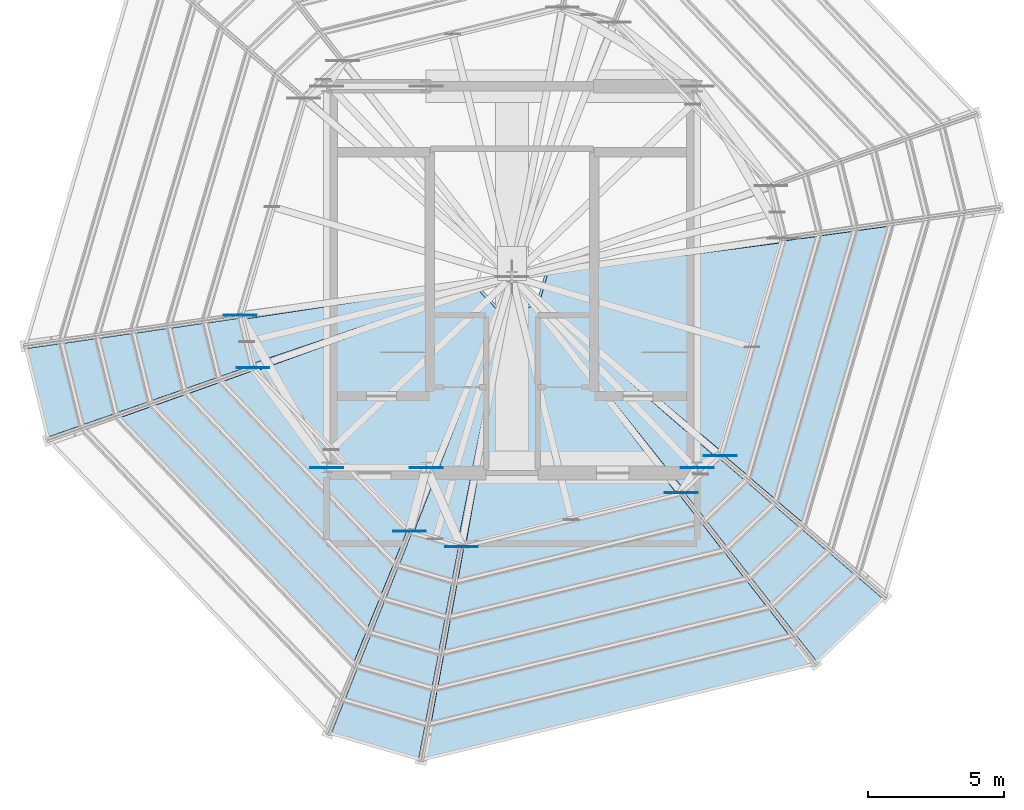
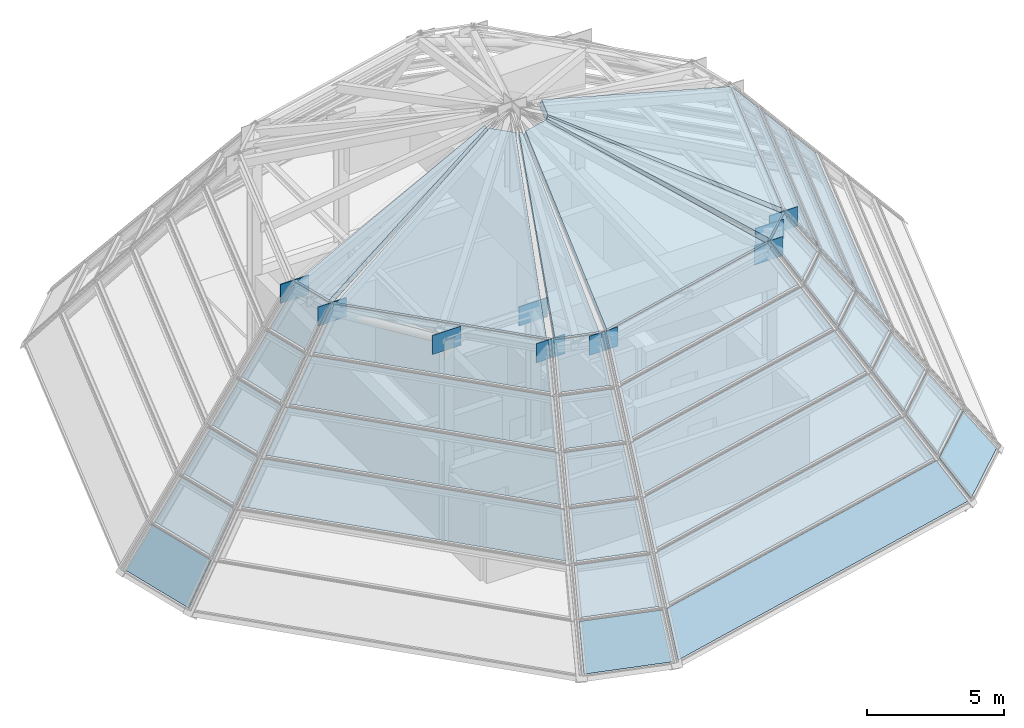
# One storey, part 10 of 13: 40 plates, 6 slabs, 31 elements without a shape of their own.
"""IFC4 building model written with IfcOpenShell, lengths in metres."""

from ifc_helpers import new_model, si_unit, direction, frame, origin, origin_2d, place, context, subcontext, project, spatial, polyline, rectangle, outline, extrude, source, transform, mapped, material, layer, layer_set, type_object, element, aggregate, save


model = new_model("IFC4")

# Units and contexts
model_context = context("Model", 3, precision=1e-05, world=origin(), true_north=direction((0.0, 1.0)))
body_context = subcontext(model_context, "Body", "Model", "MODEL_VIEW")
ifc_project = project(units=[si_unit("LENGTHUNIT", "METRE"), si_unit("AREAUNIT", "SQUARE_METRE"), si_unit("VOLUMEUNIT", "CUBIC_METRE"), si_unit("PLANEANGLEUNIT", "RADIAN"), si_unit("MASSUNIT", "GRAM", prefix="KILO")], contexts=[model_context])

# Site, building, storey
site_placement = place(None, origin())
site = spatial("IfcSite", under=ifc_project, at=site_placement, CompositionType="ELEMENT")
building_placement = place(site_placement, origin())
building = spatial("IfcBuilding", under=site, at=building_placement, Name="Veraguas Prism Commons", CompositionType="ELEMENT")
storey_placement = place(building_placement, frame((0.0, 0.0, 268.89990234375)))
storey = spatial("IfcBuildingStorey", under=building, at=storey_placement, Name="RF", CompositionType="ELEMENT", Elevation=268.89990234375)

# Curtain wall, plate
ifc_material_1 = material(Name="Anodised aluminium EN AW-6063 T6", Category="aluminium")
ifc_layer_1 = layer(ifc_material_1, 0.199951171875, Name="Faceted Glass Point Crown Curtain Wall", Category="aluminium")
ifc_layer_set_1 = layer_set([ifc_layer_1], Name="Anodised aluminium EN AW-6063 T6")
curtain_wall_type = type_object("IfcCurtainWallType", Name="Faceted Glass Point Crown Curtain Wall", PredefinedType="NOTDEFINED", material=ifc_layer_set_1)
curtain_wall_1_placement = place(storey_placement, origin())
curtain_wall_1 = element("IfcCurtainWall", 1, at=curtain_wall_1_placement, inside=storey, type_object=curtain_wall_type, Name="Crown Glass-Point Facet T1-F07", PredefinedType="NOTDEFINED")
ifc_material_2 = material(Name="Laminated low-e glass", Category="glass")
ifc_layer_2 = layer(ifc_material_2, 0.035888671875, Name="Faceted Crown Laminated Glazed Panel 36", Category="glass")
ifc_layer_set_2 = layer_set([ifc_layer_2], Name="Laminated low-e glass")
plate_type_1 = type_object("IfcPlateType", Name="Faceted Crown Laminated Glazed Panel 36", PredefinedType="CURTAIN_PANEL", material=ifc_layer_set_2)
plate_1_placement = place(storey_placement, frame((6.186279296875, 21.367431640625, 0.050048828125), z_axis=(-0.745213240657, -0.181945976097, 0.641523879315), x_axis=(0.237188415422, -0.971463666629, 3.184036e-06)))
plate_1 = element("IfcPlate", 2, at=plate_1_placement, type_object=plate_type_1, Name="CW-CRN Panel 1.1", PredefinedType="CURTAIN_PANEL", context=body_context, shape_type="SweptSolid", body=[
    extrude(outline(polyline([(0.0, 0.0), (3.3349609375, 0.0), (3.21826171875, 1.933837890625), (0.116943359375, 1.933837890625), (0.0, 0.0)])), origin(), (0.0, 0.0, -1.0), 0.035888671875),
])
aggregate(curtain_wall_1, [plate_1])

curtain_wall_2_placement = place(storey_placement, origin())
curtain_wall_2 = element("IfcCurtainWall", 3, at=curtain_wall_2_placement, inside=storey, type_object=curtain_wall_type, Name="Crown Glass-Point Facet T1-F09", PredefinedType="NOTDEFINED")
plate_2_placement = place(storey_placement, frame((17.373291015625, 7.256591796875, 0.050048828125), z_axis=(-0.215068177497, -0.736341527745, 0.641519160701), x_axis=(0.959897526382, -0.280351098869, 1.4426906e-05)))
plate_2 = element("IfcPlate", 4, at=plate_2_placement, type_object=plate_type_1, Name="CW-CRN Panel 1.1", PredefinedType="CURTAIN_PANEL", context=body_context, shape_type="SweptSolid", body=[
    extrude(outline(polyline([(0.0, 0.0), (3.334716796875, 0.0), (3.218017578125, 1.93359375), (0.11669921875, 1.933837890625), (0.0, 0.0)])), origin(), (0.0, 0.0, -1.0), 0.035888671875),
])
aggregate(curtain_wall_2, [plate_2])

curtain_wall_3_placement = place(storey_placement, origin())
curtain_wall_3 = element("IfcCurtainWall", 5, at=curtain_wall_3_placement, inside=storey, type_object=curtain_wall_type, Name="Crown Glass-Point Facet T1-F10", PredefinedType="NOTDEFINED")
plate_3_placement = place(storey_placement, frame((20.7861328125, 6.31689453125, 0.050048828125), z_axis=(0.188322034635, -0.771327804383, 0.607937685505), x_axis=(0.971463650577, 0.237188481163, 3.387106e-06)))
plate_3 = element("IfcPlate", 6, at=plate_3_placement, type_object=plate_type_1, Name="CW-CRN Panel 1.1", PredefinedType="CURTAIN_PANEL", context=body_context, shape_type="SweptSolid", body=[
    extrude(outline(polyline([(0.0, 0.0), (14.63232421875, 0.0), (14.124755859375, 1.8681640625), (0.507568359375, 1.868408203125), (0.0, 0.0)])), origin(), (0.0, 0.0, -1.0), 0.035888671875),
])
aggregate(curtain_wall_3, [plate_3])

curtain_wall_4_placement = place(storey_placement, origin())
curtain_wall_4 = element("IfcCurtainWall", 7, at=curtain_wall_4_placement, inside=storey, type_object=curtain_wall_type, Name="Crown Glass-Point Facet T1-F11", PredefinedType="NOTDEFINED")
plate_4_placement = place(storey_placement, frame((35.186767578125, 9.88916015625, 0.050048828125), z_axis=(0.530192471022, -0.554401907161, 0.641509523707), x_axis=(0.722708915875, 0.691152532303, 2.269819e-06)))
plate_4 = element("IfcPlate", 8, at=plate_4_placement, type_object=plate_type_1, Name="CW-CRN Panel 1.1", PredefinedType="CURTAIN_PANEL", context=body_context, shape_type="SweptSolid", body=[
    extrude(outline(polyline([(0.0, 0.0), (3.3349609375, 0.0), (3.21826171875, 1.933837890625), (0.116943359375, 1.933837890625), (0.0, 0.0)])), origin(), (0.0, 0.0, -1.0), 0.035888671875),
])
aggregate(curtain_wall_4, [plate_4])

curtain_wall_5_placement = place(storey_placement, origin())
curtain_wall_5 = element("IfcCurtainWall", 9, at=curtain_wall_5_placement, inside=storey, type_object=curtain_wall_type, Name="Crown Glass-Point Facet T2-F07", PredefinedType="NOTDEFINED")
plate_5_placement = place(storey_placement, frame((7.50390625, 21.5537109375, 1.63330078125), z_axis=(-0.745231406785, -0.181967743605, 0.641496602195), x_axis=(0.237213034213, -0.971457655458, 7.241851e-06)))
plate_5 = element("IfcPlate", 10, at=plate_5_placement, type_object=plate_type_1, Name="CW-CRN Panel 1.1", PredefinedType="CURTAIN_PANEL", context=body_context, shape_type="SweptSolid", body=[
    extrude(outline(polyline([(0.0, 0.0), (3.072021484375, 0.0), (2.9560546875, 1.93359375), (0.1162109375, 1.933837890625), (0.0, 0.0)])), origin(), (0.0, 0.0, -1.0), 0.035888671875),
])
aggregate(curtain_wall_5, [plate_5])

curtain_wall_6_placement = place(storey_placement, origin())
curtain_wall_6 = element("IfcCurtainWall", 11, at=curtain_wall_6_placement, inside=storey, type_object=curtain_wall_type, Name="Crown Glass-Point Facet T2-F09", PredefinedType="NOTDEFINED")
plate_6_placement = place(storey_placement, frame((17.87060546875, 8.490966796875, 1.63330078125), z_axis=(-0.215075827671, -0.736339293349, 0.641519160604), x_axis=(0.959889806374, -0.280377530454, -6.076306e-06)))
plate_6 = element("IfcPlate", 12, at=plate_6_placement, type_object=plate_type_1, Name="CW-CRN Panel 1.1", PredefinedType="CURTAIN_PANEL", context=body_context, shape_type="SweptSolid", body=[
    extrude(outline(polyline([(0.0, 0.0), (3.072021484375, 0.0), (2.955810546875, 1.933837890625), (0.115966796875, 1.933837890625), (0.0, 0.0)])), origin(), (0.0, 0.0, -1.0), 0.035888671875),
])
aggregate(curtain_wall_6, [plate_6])

curtain_wall_7_placement = place(storey_placement, origin())
curtain_wall_7 = element("IfcCurtainWall", 13, at=curtain_wall_7_placement, inside=storey, type_object=curtain_wall_type, Name="Crown Glass-Point Facet T2-F10", PredefinedType="NOTDEFINED")
plate_7_placement = place(storey_placement, frame((21.031494140625, 7.625, 1.63330078125), z_axis=(0.188314787671, -0.771329573758, 0.60793768545), x_axis=(0.971466584285, 0.237176465143, -4.96407e-07)))
plate_7 = element("IfcPlate", 14, at=plate_7_placement, type_object=plate_type_1, Name="CW-CRN Panel 1.1", PredefinedType="CURTAIN_PANEL", context=body_context, shape_type="SweptSolid", body=[
    extrude(outline(polyline([(0.0, 0.0), (13.53515625, 0.0), (13.028076171875, 1.868408203125), (0.507080078125, 1.868408203125), (0.0, 0.0)])), origin(), (0.0, 0.0, -1.0), 0.035888671875),
])
aggregate(curtain_wall_7, [plate_7])

curtain_wall_8_placement = place(storey_placement, origin())
curtain_wall_8 = element("IfcCurtainWall", 15, at=curtain_wall_8_placement, inside=storey, type_object=curtain_wall_type, Name="Crown Glass-Point Facet T2-F11", PredefinedType="NOTDEFINED")
plate_8_placement = place(storey_placement, frame((34.36669921875, 10.93701171875, 1.63330078125), z_axis=(0.530166145332, -0.554336602364, 0.64158771), x_axis=(0.72267889897, 0.691183918216, 1.3495665e-05)))
plate_8 = element("IfcPlate", 16, at=plate_8_placement, type_object=plate_type_1, Name="CW-CRN Panel 1.1", PredefinedType="CURTAIN_PANEL", context=body_context, shape_type="SweptSolid", body=[
    extrude(outline(polyline([(0.0, 0.0), (3.072021484375, 0.0), (2.955810546875, 1.933837890625), (0.1162109375, 1.933837890625), (0.0, 0.0)])), origin(), (0.0, 0.0, -1.0), 0.035888671875),
])
aggregate(curtain_wall_8, [plate_8])

curtain_wall_9_placement = place(storey_placement, origin())
curtain_wall_9 = element("IfcCurtainWall", 17, at=curtain_wall_9_placement, inside=storey, type_object=curtain_wall_type, Name="Crown Glass-Point Facet T3-F07", PredefinedType="NOTDEFINED")
plate_9_placement = place(storey_placement, frame((8.821533203125, 21.740234375, 3.216796875), z_axis=(-0.745168853388, -0.181938413893, 0.641577581818), x_axis=(0.237175192266, -0.97146689488, -1.8049152e-05)))
plate_9 = element("IfcPlate", 18, at=plate_9_placement, type_object=plate_type_1, Name="CW-CRN Panel 1.1", PredefinedType="CURTAIN_PANEL", context=body_context, shape_type="SweptSolid", body=[
    extrude(outline(polyline([(0.0, 0.0), (2.809326171875, 0.0), (2.693603515625, 1.933837890625), (0.11572265625, 1.933837890625), (0.0, 0.0)])), origin(), (0.0, 0.0, -1.0), 0.035888671875),
])
aggregate(curtain_wall_9, [plate_9])

curtain_wall_10_placement = place(storey_placement, origin())
curtain_wall_10 = element("IfcCurtainWall", 19, at=curtain_wall_10_placement, inside=storey, type_object=curtain_wall_type, Name="Crown Glass-Point Facet T3-F08", PredefinedType="NOTDEFINED")
plate_10_placement = place(storey_placement, frame((9.58984375, 18.82470703125, 3.216796875), z_axis=(-0.573802598739, -0.548727520211, 0.60798740632), x_axis=(0.691139122254, -0.722721740153, 1.91062e-07)))
plate_10 = element("IfcPlate", 20, at=plate_10_placement, type_object=plate_type_1, Name="CW-CRN Panel 1.1", PredefinedType="CURTAIN_PANEL", context=body_context, shape_type="SweptSolid", body=[
    extrude(outline(polyline([(0.0, 0.0), (12.43798828125, 0.0), (11.931640625, 1.868408203125), (0.506591796875, 1.868408203125), (0.0, 0.0)])), origin(), (0.0, 0.0, -1.0), 0.035888671875),
])
aggregate(curtain_wall_10, [plate_10])

curtain_wall_11_placement = place(storey_placement, origin())
curtain_wall_11 = element("IfcCurtainWall", 21, at=curtain_wall_11_placement, inside=storey, type_object=curtain_wall_type, Name="Crown Glass-Point Facet T3-F09", PredefinedType="NOTDEFINED")
plate_11_placement = place(storey_placement, frame((18.367919921875, 9.72509765625, 3.216796875), z_axis=(-0.215020902791, -0.736355334199, 0.641519160399), x_axis=(0.959914231722, -0.28029389515, 8.916132e-06)))
plate_11 = element("IfcPlate", 22, at=plate_11_placement, type_object=plate_type_1, Name="CW-CRN Panel 1.1", PredefinedType="CURTAIN_PANEL", context=body_context, shape_type="SweptSolid", body=[
    extrude(outline(polyline([(0.0, 0.0), (2.80908203125, 0.0), (2.693603515625, 1.933837890625), (0.11572265625, 1.933837890625), (0.0, 0.0)])), origin(), (0.0, 0.0, -1.0), 0.035888671875),
])
aggregate(curtain_wall_11, [plate_11])

curtain_wall_12_placement = place(storey_placement, origin())
curtain_wall_12 = element("IfcCurtainWall", 23, at=curtain_wall_12_placement, inside=storey, type_object=curtain_wall_type, Name="Crown Glass-Point Facet T3-F10", PredefinedType="NOTDEFINED")
plate_12_placement = place(storey_placement, frame((21.27685546875, 8.932861328125, 3.216796875), z_axis=(0.18832144349, -0.771335648759, 0.607927915855), x_axis=(0.971464093517, 0.23718666696, 4.953295e-06)))
plate_12 = element("IfcPlate", 24, at=plate_12_placement, type_object=plate_type_1, Name="CW-CRN Panel 1.1", PredefinedType="CURTAIN_PANEL", context=body_context, shape_type="SweptSolid", body=[
    extrude(outline(polyline([(0.0, 0.0), (12.43798828125, 0.0), (11.931640625, 1.8681640625), (0.506591796875, 1.868408203125), (0.0, 0.0)])), origin(), (0.0, 0.0, -1.0), 0.035888671875),
])
aggregate(curtain_wall_12, [plate_12])

curtain_wall_13_placement = place(storey_placement, origin())
curtain_wall_13 = element("IfcCurtainWall", 25, at=curtain_wall_13_placement, inside=storey, type_object=curtain_wall_type, Name="Crown Glass-Point Facet T3-F11", PredefinedType="NOTDEFINED")
plate_13_placement = place(storey_placement, frame((33.54638671875, 11.985107421875, 3.216796875), z_axis=(0.530201683101, -0.554363388547, 0.641535196756), x_axis=(0.722690856654, 0.691171415331, -1.8363279e-05)))
plate_13 = element("IfcPlate", 26, at=plate_13_placement, type_object=plate_type_1, Name="CW-CRN Panel 1.1", PredefinedType="CURTAIN_PANEL", context=body_context, shape_type="SweptSolid", body=[
    extrude(outline(polyline([(0.0, 0.0), (2.808837890625, 0.0), (2.693603515625, 1.933837890625), (0.115478515625, 1.933837890625), (0.0, 0.0)])), origin(), (0.0, 0.0, -1.0), 0.035888671875),
])
aggregate(curtain_wall_13, [plate_13])

curtain_wall_14_placement = place(storey_placement, origin())
curtain_wall_14 = element("IfcCurtainWall", 27, at=curtain_wall_14_placement, inside=storey, type_object=curtain_wall_type, Name="Crown Glass-Point Facet T4-F07", PredefinedType="NOTDEFINED")
plate_14_placement = place(storey_placement, frame((10.13916015625, 21.926513671875, 4.800048828125), z_axis=(-0.745200392027, -0.181967537588, 0.641532688946), x_axis=(0.237212750387, -0.97145772478, -4.263956e-06)))
plate_14 = element("IfcPlate", 28, at=plate_14_placement, type_object=plate_type_1, Name="CW-CRN Panel 1.1", PredefinedType="CURTAIN_PANEL", context=body_context, shape_type="SweptSolid", body=[
    extrude(outline(polyline([(0.0, 0.0), (2.54638671875, 0.0), (2.431640625, 1.933837890625), (0.114990234375, 1.933837890625), (0.0, 0.0)])), origin(), (0.0, 0.0, -1.0), 0.035888671875),
])
aggregate(curtain_wall_14, [plate_14])

curtain_wall_15_placement = place(storey_placement, origin())
curtain_wall_15 = element("IfcCurtainWall", 29, at=curtain_wall_15_placement, inside=storey, type_object=curtain_wall_type, Name="Crown Glass-Point Facet T4-F08", PredefinedType="NOTDEFINED")
plate_15_placement = place(storey_placement, frame((10.845458984375, 19.26611328125, 4.800048828125), z_axis=(-0.573813650639, -0.548748942249, 0.607957640565), x_axis=(0.691143713321, -0.722717349673, -4.414651e-06)))
plate_15 = element("IfcPlate", 30, at=plate_15_placement, type_object=plate_type_1, Name="CW-CRN Panel 1.1", PredefinedType="CURTAIN_PANEL", context=body_context, shape_type="SweptSolid", body=[
    extrude(outline(polyline([(0.0, 0.0), (11.340576171875, 0.0), (10.834716796875, 1.868408203125), (0.505859375, 1.8681640625), (0.0, 0.0)])), origin(), (0.0, 0.0, -1.0), 0.035888671875),
])
aggregate(curtain_wall_15, [plate_15])

curtain_wall_16_placement = place(storey_placement, origin())
curtain_wall_16 = element("IfcCurtainWall", 31, at=curtain_wall_16_placement, inside=storey, type_object=curtain_wall_type, Name="Crown Glass-Point Facet T4-F09", PredefinedType="NOTDEFINED")
plate_16_placement = place(storey_placement, frame((18.865234375, 10.95947265625, 4.800048828125), z_axis=(-0.215083270558, -0.736328045312, 0.641529575634), x_axis=(0.959889997247, -0.280376876844, 1.0790316e-05)))
plate_16 = element("IfcPlate", 32, at=plate_16_placement, type_object=plate_type_1, Name="CW-CRN Panel 1.1", PredefinedType="CURTAIN_PANEL", context=body_context, shape_type="SweptSolid", body=[
    extrude(outline(polyline([(0.0, 0.0), (2.546142578125, 0.0), (2.431640625, 1.933837890625), (0.11474609375, 1.933837890625), (0.0, 0.0)])), origin(), (0.0, 0.0, -1.0), 0.035888671875),
])
aggregate(curtain_wall_16, [plate_16])

curtain_wall_17_placement = place(storey_placement, origin())
curtain_wall_17 = element("IfcCurtainWall", 33, at=curtain_wall_17_placement, inside=storey, type_object=curtain_wall_type, Name="Crown Glass-Point Facet T4-F10", PredefinedType="NOTDEFINED")
plate_17_placement = place(storey_placement, frame((21.522216796875, 10.24072265625, 4.800048828125), z_axis=(0.18832553901, -0.771326948759, 0.607937685519), x_axis=(0.971463393157, 0.237189535507, -1.129137e-06)))
plate_17 = element("IfcPlate", 34, at=plate_17_placement, type_object=plate_type_1, Name="CW-CRN Panel 1.1", PredefinedType="CURTAIN_PANEL", context=body_context, shape_type="SweptSolid", body=[
    extrude(outline(polyline([(0.0, 0.0), (11.341064453125, 0.0), (10.8349609375, 1.868408203125), (0.506103515625, 1.8681640625), (0.0, 0.0)])), origin(), (0.0, 0.0, -1.0), 0.035888671875),
])
aggregate(curtain_wall_17, [plate_17])

curtain_wall_18_placement = place(storey_placement, origin())
curtain_wall_18 = element("IfcCurtainWall", 35, at=curtain_wall_18_placement, inside=storey, type_object=curtain_wall_type, Name="Crown Glass-Point Facet T4-F11", PredefinedType="NOTDEFINED")
plate_18_placement = place(storey_placement, frame((32.726318359375, 13.032958984375, 4.800048828125), z_axis=(0.530204260065, -0.554391988913, 0.641508351652), x_axis=(0.722680795554, 0.691181934812, 2.6953774e-05)))
plate_18 = element("IfcPlate", 36, at=plate_18_placement, type_object=plate_type_1, Name="CW-CRN Panel 1.1", PredefinedType="CURTAIN_PANEL", context=body_context, shape_type="SweptSolid", body=[
    extrude(outline(polyline([(0.0, 0.0), (2.5458984375, 0.0), (2.431396484375, 1.93359375), (0.11474609375, 1.933837890625), (0.0, 0.0)])), origin(), (0.0, 0.0, -1.0), 0.035888671875),
])
aggregate(curtain_wall_18, [plate_18])

curtain_wall_19_placement = place(storey_placement, origin())
curtain_wall_19 = element("IfcCurtainWall", 37, at=curtain_wall_19_placement, inside=storey, type_object=curtain_wall_type, Name="Crown Glass-Point Facet T4-F12", PredefinedType="NOTDEFINED")
plate_19_placement = place(storey_placement, frame((34.677001953125, 14.974853515625, 4.800048828125), z_axis=(0.762135481487, -0.222575763502, 0.607955209995), x_axis=(0.280335324197, 0.959902133548, -4.189492e-06)))
plate_19 = element("IfcPlate", 38, at=plate_19_placement, type_object=plate_type_1, Name="CW-CRN Panel 1.1", PredefinedType="CURTAIN_PANEL", context=body_context, shape_type="SweptSolid", body=[
    extrude(outline(polyline([(0.0, 0.0), (11.340576171875, 0.0), (10.834716796875, 1.868408203125), (0.505615234375, 1.8681640625), (0.0, 0.0)])), origin(), (0.0, 0.0, -1.0), 0.035888671875),
])
aggregate(curtain_wall_19, [plate_19])

curtain_wall_20_placement = place(storey_placement, origin())
curtain_wall_20 = element("IfcCurtainWall", 39, at=curtain_wall_20_placement, inside=storey, type_object=curtain_wall_type, Name="Crown Glass-Point Facet T5-F07", PredefinedType="NOTDEFINED")
plate_20_placement = place(storey_placement, frame((11.456787109375, 22.11279296875, 6.38330078125), z_axis=(-0.745206636865, -0.181941958665, 0.641532689775), x_axis=(0.237178724527, -0.971466032657, -5.102026e-06)))
plate_20 = element("IfcPlate", 40, at=plate_20_placement, type_object=plate_type_1, Name="CW-CRN Panel 1.1", PredefinedType="CURTAIN_PANEL", context=body_context, shape_type="SweptSolid", body=[
    extrude(outline(polyline([(0.0, 0.0), (2.283203125, 0.0), (2.16943359375, 1.933837890625), (0.11376953125, 1.933837890625), (0.0, 0.0)])), origin(), (0.0, 0.0, -1.0), 0.035888671875),
])
aggregate(curtain_wall_20, [plate_20])

curtain_wall_21_placement = place(storey_placement, origin())
curtain_wall_21 = element("IfcCurtainWall", 41, at=curtain_wall_21_placement, inside=storey, type_object=curtain_wall_type, Name="Crown Glass-Point Facet T5-F08", PredefinedType="NOTDEFINED")
plate_21_placement = place(storey_placement, frame((12.100830078125, 19.70751953125, 6.38330078125), z_axis=(-0.573811545484, -0.548751143584, 0.607957640534), x_axis=(0.691150172021, -0.722711173091, 2.246297e-06)))
plate_21 = element("IfcPlate", 42, at=plate_21_placement, type_object=plate_type_1, Name="CW-CRN Panel 1.1", PredefinedType="CURTAIN_PANEL", context=body_context, shape_type="SweptSolid", body=[
    extrude(outline(polyline([(0.0, 0.0), (10.2431640625, 0.0), (9.73828125, 1.868408203125), (0.5048828125, 1.868408203125), (0.0, 0.0)])), origin(), (0.0, 0.0, -1.0), 0.035888671875),
])
aggregate(curtain_wall_21, [plate_21])

curtain_wall_22_placement = place(storey_placement, origin())
curtain_wall_22 = element("IfcCurtainWall", 43, at=curtain_wall_22_placement, inside=storey, type_object=curtain_wall_type, Name="Crown Glass-Point Facet T5-F09", PredefinedType="NOTDEFINED")
plate_22_placement = place(storey_placement, frame((19.36279296875, 12.193603515625, 6.38330078125), z_axis=(-0.215052564473, -0.736324095702, 0.641544402674), x_axis=(0.959895986931, -0.280356370022, -7.882563e-06)))
plate_22 = element("IfcPlate", 44, at=plate_22_placement, type_object=plate_type_1, Name="CW-CRN Panel 1.1", PredefinedType="CURTAIN_PANEL", context=body_context, shape_type="SweptSolid", body=[
    extrude(outline(polyline([(0.0, 0.0), (2.283203125, 0.0), (2.169189453125, 1.933837890625), (0.11376953125, 1.933837890625), (0.0, 0.0)])), origin(), (0.0, 0.0, -1.0), 0.035888671875),
])
aggregate(curtain_wall_22, [plate_22])

curtain_wall_23_placement = place(storey_placement, origin())
curtain_wall_23 = element("IfcCurtainWall", 45, at=curtain_wall_23_placement, inside=storey, type_object=curtain_wall_type, Name="Crown Glass-Point Facet T5-F10", PredefinedType="NOTDEFINED")
plate_23_placement = place(storey_placement, frame((21.767822265625, 11.548828125, 6.38330078125), z_axis=(0.188318364248, -0.771297162607, 0.607977697487), x_axis=(0.971464449727, 0.237185207942, -7.102563e-06)))
plate_23 = element("IfcPlate", 46, at=plate_23_placement, type_object=plate_type_1, Name="CW-CRN Panel 1.1", PredefinedType="CURTAIN_PANEL", context=body_context, shape_type="SweptSolid", body=[
    extrude(outline(polyline([(0.0, 0.0), (10.2431640625, 0.0), (9.73828125, 1.868408203125), (0.5048828125, 1.8681640625), (0.0, 0.0)])), origin(), (0.0, 0.0, -1.0), 0.035888671875),
])
aggregate(curtain_wall_23, [plate_23])

curtain_wall_24_placement = place(storey_placement, origin())
curtain_wall_24 = element("IfcCurtainWall", 47, at=curtain_wall_24_placement, inside=storey, type_object=curtain_wall_type, Name="Crown Glass-Point Facet T5-F11", PredefinedType="NOTDEFINED")
plate_24_placement = place(storey_placement, frame((31.906005859375, 14.080810546875, 6.38330078125), z_axis=(0.530181364375, -0.554353111021, 0.64156086942), x_axis=(0.722693311324, 0.691168848872, -1.0792756e-05)))
plate_24 = element("IfcPlate", 48, at=plate_24_placement, type_object=plate_type_1, Name="CW-CRN Panel 1.1", PredefinedType="CURTAIN_PANEL", context=body_context, shape_type="SweptSolid", body=[
    extrude(outline(polyline([(0.0, 0.0), (2.283203125, 0.0), (2.169189453125, 1.933837890625), (0.114013671875, 1.933837890625), (0.0, 0.0)])), origin(), (0.0, 0.0, -1.0), 0.035888671875),
])
aggregate(curtain_wall_24, [plate_24])

curtain_wall_25_placement = place(storey_placement, origin())
curtain_wall_25 = element("IfcCurtainWall", 49, at=curtain_wall_25_placement, inside=storey, type_object=curtain_wall_type, Name="Crown Glass-Point Facet T5-F12", PredefinedType="NOTDEFINED")
plate_25_placement = place(storey_placement, frame((33.6669921875, 15.84130859375, 6.38330078125), z_axis=(0.762167250568, -0.222574972243, 0.607915671695), x_axis=(0.280319118075, 0.959906866335, 1.961828e-06)))
plate_25 = element("IfcPlate", 50, at=plate_25_placement, type_object=plate_type_1, Name="CW-CRN Panel 1.1", PredefinedType="CURTAIN_PANEL", context=body_context, shape_type="SweptSolid", body=[
    extrude(outline(polyline([(0.0, 0.0), (10.2431640625, 0.0), (9.73828125, 1.8681640625), (0.5048828125, 1.8681640625), (0.0, 0.0)])), origin(), (0.0, 0.0, -1.0), 0.035888671875),
])
aggregate(curtain_wall_25, [plate_25])

curtain_wall_26_placement = place(storey_placement, origin())
curtain_wall_26 = element("IfcCurtainWall", 51, at=curtain_wall_26_placement, inside=storey, type_object=curtain_wall_type, Name="Crown Glass-Point Facet T6-F07", PredefinedType="NOTDEFINED")
plate_26_placement = place(storey_placement, frame((12.7744140625, 22.299072265625, 7.966796875), z_axis=(-0.745232603333, -0.181962842796, 0.641496602307), x_axis=(0.237218036796, -0.971456433695, 2.1264013e-05)))
plate_26 = element("IfcPlate", 52, at=plate_26_placement, type_object=plate_type_1, Name="CW-CRN Panel 1.1", PredefinedType="CURTAIN_PANEL", context=body_context, shape_type="SweptSolid", body=[
    extrude(outline(polyline([(0.0, 0.0), (2.02001953125, 0.0), (1.9072265625, 1.93359375), (0.113037109375, 1.933837890625), (0.0, 0.0)])), origin(), (0.0, 0.0, -1.0), 0.035888671875),
])
aggregate(curtain_wall_26, [plate_26])

curtain_wall_27_placement = place(storey_placement, origin())
curtain_wall_27 = element("IfcCurtainWall", 53, at=curtain_wall_27_placement, inside=storey, type_object=curtain_wall_type, Name="Crown Glass-Point Facet T6-F08", PredefinedType="NOTDEFINED")
plate_27_placement = place(storey_placement, frame((13.3564453125, 20.148681640625, 7.966796875), z_axis=(-0.573787639321, -0.548711625688, 0.608015868869), x_axis=(0.69113879897, -0.722722049308, 1.495534e-06)))
plate_27 = element("IfcPlate", 54, at=plate_27_placement, type_object=plate_type_1, Name="CW-CRN Panel 1.1", PredefinedType="CURTAIN_PANEL", context=body_context, shape_type="SweptSolid", body=[
    extrude(outline(polyline([(0.0, 0.0), (9.1455078125, 0.0), (8.641845703125, 1.868408203125), (0.503662109375, 1.868408203125), (0.0, 0.0)])), origin(), (0.0, 0.0, -1.0), 0.035888671875),
])
aggregate(curtain_wall_27, [plate_27])

curtain_wall_28_placement = place(storey_placement, origin())
curtain_wall_28 = element("IfcCurtainWall", 55, at=curtain_wall_28_placement, inside=storey, type_object=curtain_wall_type, Name="Crown Glass-Point Facet T6-F09", PredefinedType="NOTDEFINED")
plate_28_placement = place(storey_placement, frame((19.8603515625, 13.427978515625, 7.966796875), z_axis=(-0.215047433724, -0.73631652136, 0.641554815756), x_axis=(0.959892538653, -0.280368174927, -2.6953541e-05)))
plate_28 = element("IfcPlate", 56, at=plate_28_placement, type_object=plate_type_1, Name="CW-CRN Panel 1.1", PredefinedType="CURTAIN_PANEL", context=body_context, shape_type="SweptSolid", body=[
    extrude(outline(polyline([(0.0, 0.0), (2.02001953125, 0.0), (1.906982421875, 1.933837890625), (0.11279296875, 1.933837890625), (0.0, 0.0)])), origin(), (0.0, 0.0, -1.0), 0.035888671875),
])
aggregate(curtain_wall_28, [plate_28])

curtain_wall_29_placement = place(storey_placement, origin())
curtain_wall_29 = element("IfcCurtainWall", 57, at=curtain_wall_29_placement, inside=storey, type_object=curtain_wall_type, Name="Crown Glass-Point Facet T6-F10", PredefinedType="NOTDEFINED")
plate_29_placement = place(storey_placement, frame((22.013427734375, 12.85693359375, 7.966796875), z_axis=(0.188320578333, -0.771328159948, 0.607937685497), x_axis=(0.971464487956, 0.237185051465, 1.242087e-06)))
plate_29 = element("IfcPlate", 58, at=plate_29_placement, type_object=plate_type_1, Name="CW-CRN Panel 1.1", PredefinedType="CURTAIN_PANEL", context=body_context, shape_type="SweptSolid", body=[
    extrude(outline(polyline([(0.0, 0.0), (9.1455078125, 0.0), (8.641845703125, 1.8681640625), (0.503662109375, 1.868408203125), (0.0, 0.0)])), origin(), (0.0, 0.0, -1.0), 0.035888671875),
])
aggregate(curtain_wall_29, [plate_29])

curtain_wall_30_placement = place(storey_placement, origin())
curtain_wall_30 = element("IfcCurtainWall", 59, at=curtain_wall_30_placement, inside=storey, type_object=curtain_wall_type, Name="Crown Glass-Point Facet T6-F11", PredefinedType="NOTDEFINED")
plate_30_placement = place(storey_placement, frame((31.0859375, 15.12890625, 7.966796875), z_axis=(0.530187964213, -0.554345445079, 0.641562039186), x_axis=(0.722689054348, 0.691173299802, -1.9122045e-05)))
plate_30 = element("IfcPlate", 60, at=plate_30_placement, type_object=plate_type_1, Name="CW-CRN Panel 1.1", PredefinedType="CURTAIN_PANEL", context=body_context, shape_type="SweptSolid", body=[
    extrude(outline(polyline([(0.0, 0.0), (2.019775390625, 0.0), (1.9072265625, 1.933837890625), (0.11279296875, 1.933837890625), (0.0, 0.0)])), origin(), (0.0, 0.0, -1.0), 0.035888671875),
])
aggregate(curtain_wall_30, [plate_30])

curtain_wall_31_placement = place(storey_placement, origin())
curtain_wall_31 = element("IfcCurtainWall", 61, at=curtain_wall_31_placement, inside=storey, type_object=curtain_wall_type, Name="Crown Glass-Point Facet T6-F12", PredefinedType="NOTDEFINED")
plate_31_placement = place(storey_placement, frame((32.656982421875, 16.7080078125, 7.966796875), z_axis=(0.762126184048, -0.222576061344, 0.607966756086), x_axis=(0.280332127556, 0.959903067104, 4.916893e-06)))
plate_31 = element("IfcPlate", 62, at=plate_31_placement, type_object=plate_type_1, Name="CW-CRN Panel 1.1", PredefinedType="CURTAIN_PANEL", context=body_context, shape_type="SweptSolid", body=[
    extrude(outline(polyline([(0.0, 0.0), (9.1455078125, 0.0), (8.641845703125, 1.868408203125), (0.503662109375, 1.868408203125), (0.0, 0.0)])), origin(), (0.0, 0.0, -1.0), 0.035888671875),
])
aggregate(curtain_wall_31, [plate_31])

# Slabs
ifc_material_3 = material(Name="Concrete C45/55", Category="concrete")
ifc_layer_3 = layer(ifc_material_3, 0.260009765625, Name="Podium Clinic and Crown Roof Slab RC 260", Category="concrete")
ifc_layer_set_3 = layer_set([ifc_layer_3], Name="Concrete C45/55")
slab_type = type_object("IfcSlabType", Name="Podium Clinic and Crown Roof Slab RC 260", PredefinedType="ROOF", material=ifc_layer_set_3)
slab_1_placement = place(storey_placement, frame((14.06201171875, 22.431884765625, 9.5), z_axis=(-0.328283155811, -0.08018397271, 0.941169857216), x_axis=(0.237201820863, -0.971460393122, -2.7828487e-05)))
element("IfcSlab", 63, at=slab_1_placement, inside=storey, type_object=slab_type, Name="Crown Pyramidal Apex Roof Facet 07", PredefinedType="ROOF", context=body_context, shape_type="SweptSolid", body=[
    extrude(outline(polyline([(0.0, 0.0), (1.66748046875, 0.0), (0.90185546875, 9.225830078125), (0.765625, 9.2255859375), (0.0, 0.0)])), origin(), (0.0, 0.0, -1.0), 0.260009765625),
])
slab_2_placement = place(storey_placement, frame((14.606201171875, 20.541015625, 9.5), z_axis=(-0.263862638571, -0.252332439643, 0.930969842621), x_axis=(0.691124957911, -0.72273528521, -8.059076e-06)))
element("IfcSlab", 64, at=slab_2_placement, inside=storey, type_object=slab_type, Name="Crown Pyramidal Apex Roof Facet 08", PredefinedType="ROOF", context=body_context, shape_type="SweptSolid", body=[
    extrude(outline(polyline([(0.0, 0.0), (7.98486328125, 0.0), (4.483642578125, 8.539306640625), (3.501220703125, 8.539306640625), (0.0, 0.0)])), origin(), (0.0, 0.0, -1.0), 0.260009765625),
])
slab_3_placement = place(storey_placement, frame((20.388916015625, 14.609619140625, 9.5), z_axis=(-0.094740718854, -0.324387463734, 0.941167875335), x_axis=(0.959889550478, -0.280378406364, -1.1277577e-05)))
element("IfcSlab", 65, at=slab_3_placement, inside=storey, type_object=slab_type, Name="Crown Pyramidal Apex Roof Facet 09", PredefinedType="ROOF", context=body_context, shape_type="SweptSolid", body=[
    extrude(outline(polyline([(0.0, 0.0), (1.66748046875, 0.0), (0.9013671875, 9.2255859375), (0.765380859375, 9.2255859375), (0.0, 0.0)])), origin(), (0.0, 0.0, -1.0), 0.260009765625),
])
slab_4_placement = place(storey_placement, frame((22.298583984375, 14.135009765625, 9.5), z_axis=(0.086601734288, -0.354676493326, 0.93096977647), x_axis=(0.971462012336, 0.237195190886, -2.939436e-06)))
element("IfcSlab", 66, at=slab_4_placement, inside=storey, type_object=slab_type, Name="Crown Pyramidal Apex Roof Facet 10", PredefinedType="ROOF", context=body_context, shape_type="SweptSolid", body=[
    extrude(outline(polyline([(0.0, 0.0), (7.985107421875, 0.0), (4.484130859375, 8.539306640625), (3.50146484375, 8.539306640625), (0.0, 0.0)])), origin(), (0.0, 0.0, -1.0), 0.260009765625),
])
slab_5_placement = place(storey_placement, frame((30.326904296875, 16.177490234375, 9.5), z_axis=(0.233571770211, -0.244228167794, 0.941167801307), x_axis=(0.722673582637, 0.691189476773, 1.2528616e-05)))
element("IfcSlab", 67, at=slab_5_placement, inside=storey, type_object=slab_type, Name="Crown Pyramidal Apex Roof Facet 11", PredefinedType="ROOF", context=body_context, shape_type="SweptSolid", body=[
    extrude(outline(polyline([(0.0, 0.0), (1.66748046875, 0.0), (0.902587890625, 9.2255859375), (0.766357421875, 9.2255859375), (0.0, 0.0)])), origin(), (0.0, 0.0, -1.0), 0.260009765625),
])
slab_6_placement = place(storey_placement, frame((31.692626953125, 17.59423828125, 9.5), z_axis=(0.350460861875, -0.102348208818, 0.930968328379), x_axis=(0.280315575684, 0.959907900789, 5.602796e-06)))
element("IfcSlab", 68, at=slab_6_placement, inside=storey, type_object=slab_type, Name="Crown Pyramidal Apex Roof Facet 12", PredefinedType="ROOF", context=body_context, shape_type="SweptSolid", body=[
    extrude(outline(polyline([(0.0, 0.0), (7.98486328125, 0.0), (4.484130859375, 8.5390625), (3.501220703125, 8.539306640625), (0.0, 0.0)])), origin(), (0.0, 0.0, -1.0), 0.260009765625),
])

# Plates
ifc_material_4 = material(Name="Steel ASTM A572 Grade 50", Category="steel")
ifc_layer_4 = layer(ifc_material_4, 0.034912109375, Name="Crown and Portal Stiffener Plate 1200x850x35", Category="steel")
ifc_layer_set_4 = layer_set([ifc_layer_4], Name="Steel ASTM A572 Grade 50")
plate_type_2 = type_object("IfcPlateType", Name="Crown and Portal Stiffener Plate 1200x850x35", PredefinedType="USERDEFINED", material=ifc_layer_set_4)
shared_shape = source(origin(), body_context, "Body", "SweptSolid", [
    extrude(rectangle(XDim=1.199951171875, YDim=0.034912109375, at=origin_2d()), origin(), (0.0, 0.0, 1.0), 0.85009765625),
])
for number, where, z_axis, x_axis, name in (
    (69, (14.024169921875, 22.58740234375, 8.64208984375), (0.0, 0.0, 1.0), (1.0, 0.0, 0.0), "Crown Eave Node Gusset Plate 07"),
    (70, (14.49560546875, 20.656494140625, 8.64208984375), (0.0, 0.0, 1.0), (1.0, 0.0, 0.0), "Crown Eave Node Gusset Plate 08"),
    (71, (20.2353515625, 14.654296875, 8.64208984375), (0.0, 0.0, 1.0), (1.0, 0.0, 0.0), "Crown Eave Node Gusset Plate 09"),
    (72, (22.143310546875, 14.09716796875, 8.64208984375), (0.0, 0.0, 1.0), (1.0, 0.0, 0.0), "Crown Eave Node Gusset Plate 10"),
    (73, (30.211181640625, 16.06689453125, 8.64208984375), (0.0, 0.0, 1.0), (1.0, 0.0, 0.0), "Crown Eave Node Gusset Plate 11"),
    (74, (31.647705078125, 17.440673828125, 8.64208984375), (0.0, 0.0, 1.0), (1.0, 0.0, 0.0), "Crown Eave Node Gusset Plate 12"),
    (75, (17.199951171875, 17.0, 8.64208984375), (0.0, 0.0, 1.0), (1.0, 0.0, 0.0), "Crown Core Collar Gusset Plate 01"),
    (76, (20.85009765625, 17.0, 8.64208984375), (0.0, 0.0, 1.0), (1.0, 0.0, 0.0), "Crown Core Collar Gusset Plate 02"),
    (77, (30.800048828125, 17.0, 8.64208984375), (0.0, 0.0, 1.0), (1.0, 0.0, 0.0), "Crown Core Collar Gusset Plate 03"),
):
    element("IfcPlate", number, at=place(storey_placement, frame(where, z_axis=z_axis, x_axis=x_axis)), inside=storey, type_object=plate_type_2, Name=name, ObjectType="STIFFENER PLATE", PredefinedType="USERDEFINED", context=body_context, shape_type="MappedRepresentation", body=[
        mapped(shared_shape, transform((0.0, 0.0, 0.0), scale=1.0)),
    ])

save(model, "model.ifc")
